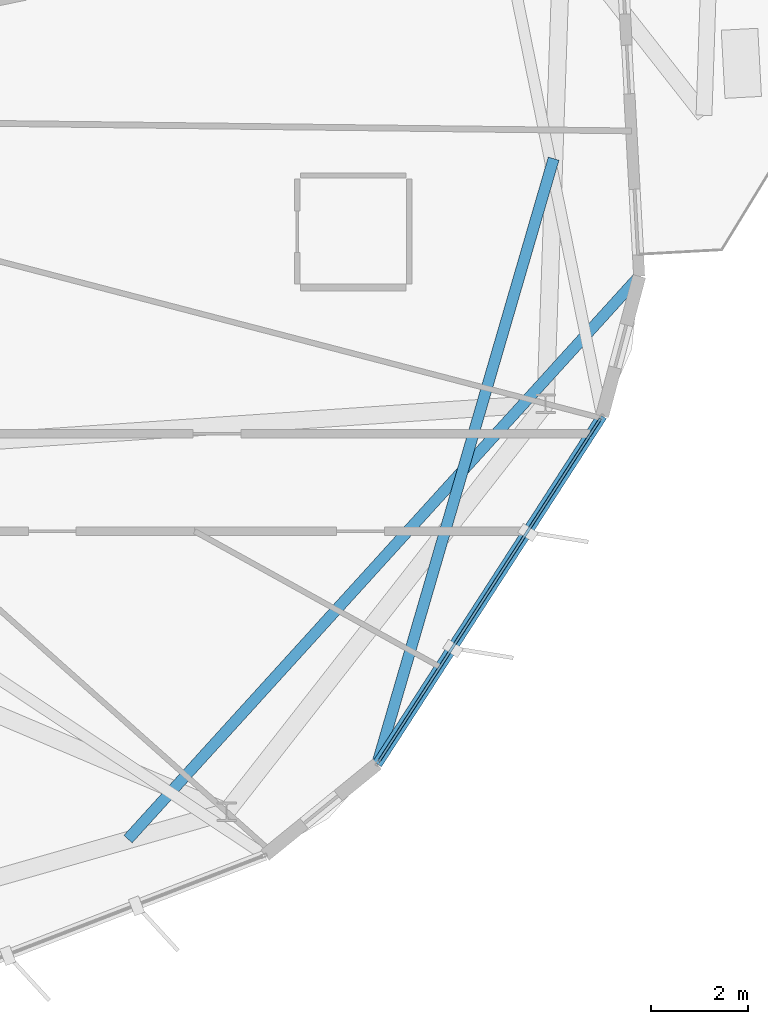
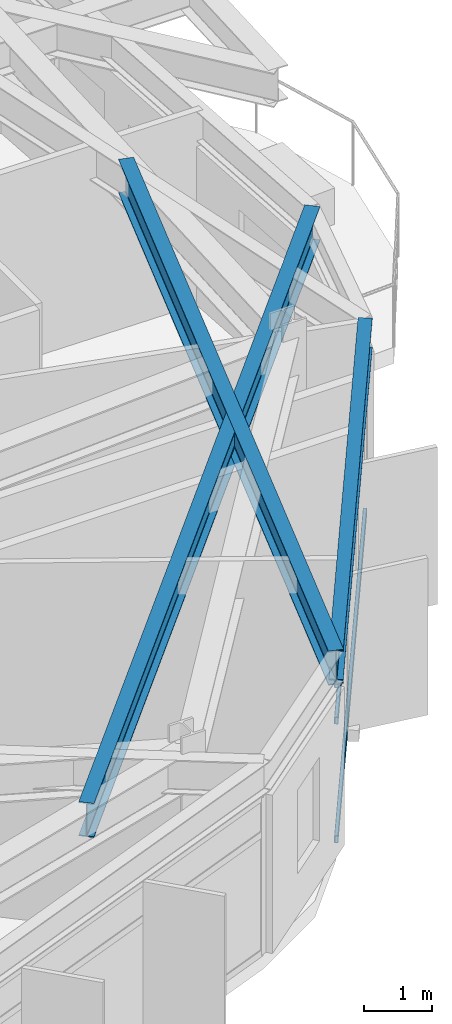
# One storey, part 13 of 26: 3 beams, 3 members, 1 element without a shape of its own.
"""IFC4 building model written with IfcOpenShell, lengths in metres."""

from ifc_helpers import new_model, si_unit, direction, frame, origin, origin_2d, place, context, subcontext, project, spatial, hollow_rectangle, i_section, extrude, material, layer, layer_set, material_profile, profile_set, type_object, element, aggregate, save


model = new_model("IFC4")

# Units and contexts
model_context = context("Model", 3, precision=1e-05, world=origin(), true_north=direction((0.0, 1.0)))
body_context = subcontext(model_context, "Body", "Model", "MODEL_VIEW")
ifc_project = project(units=[si_unit("LENGTHUNIT", "METRE"), si_unit("AREAUNIT", "SQUARE_METRE"), si_unit("VOLUMEUNIT", "CUBIC_METRE"), si_unit("PLANEANGLEUNIT", "RADIAN"), si_unit("MASSUNIT", "GRAM", prefix="KILO")], contexts=[model_context])

# Site, building, storey
site_placement = place(None, origin())
site = spatial("IfcSite", under=ifc_project, at=site_placement, CompositionType="ELEMENT")
building_placement = place(site_placement, origin())
building = spatial("IfcBuilding", under=site, at=building_placement, Name="Soratama Intermodal Tower", CompositionType="ELEMENT")
storey_placement = place(building_placement, frame((0.0, 0.0, 242.5)))
storey = spatial("IfcBuildingStorey", under=building, at=storey_placement, Name="L61", CompositionType="ELEMENT", Elevation=242.5)

# Beams
ifc_material_1 = material(Name="Structural steel ASTM A992 Grade 50", Category="steel")
ifc_material_profile_1 = material_profile(ifc_material_1, i_section(OverallWidth=0.2099609375, OverallDepth=0.537109375, WebThickness=0.010986328125, FlangeThickness=0.017333984375, FilletRadius=0.012939453125, at=origin_2d()), Name="W21X68")
ifc_profile_set_1 = profile_set([ifc_material_profile_1], Name="Structural steel ASTM A992 Grade 50")
beam_type_1 = type_object("IfcBeamType", Name="BM-SPN-W21X68", PredefinedType="SPANDREL", material=ifc_profile_set_1)
beam_1_placement = place(storey_placement, frame((57.708984375, 11.72412109375, 3.181396484375), z_axis=(0.542812951788, 0.839853617823, 0.0), x_axis=(-0.839853617823, 0.542812951788, 0.0)))
element("IfcBeam", 1, at=beam_1_placement, inside=storey, type_object=beam_type_1, Name="BS-L61-F08", PredefinedType="SPANDREL", context=body_context, shape_type="SweptSolid", body=[
    extrude(i_section(OverallWidth=0.2099609375, OverallDepth=0.537109375, WebThickness=0.010986328125, FlangeThickness=0.017333984375, FilletRadius=0.012939453125, at=origin_2d()), origin(), (0.0, 0.0, 1.0), 8.500244140625),
])
ifc_material_2 = material(Name="Structural steel ASTM A992 Grade 50", Category="steel")
ifc_material_profile_2 = material_profile(ifc_material_2, i_section(OverallWidth=0.22900390625, OverallDepth=0.612060546875, WebThickness=0.011962890625, FlangeThickness=0.01953125, FilletRadius=0.012939453125, at=origin_2d()), Name="W24X84")
ifc_profile_set_2 = profile_set([ifc_material_profile_2], Name="Structural steel ASTM A992 Grade 50")
beam_type_2 = type_object("IfcBeamType", Name="BM-TIE-W24X84", PredefinedType="BEAM", material=ifc_profile_set_2)
beam_2_placement = place(storey_placement, frame((61.327880859375, 24.14306640625, 3.14404296875), z_axis=(-0.279765172331, -0.960068460241, 0.0), x_axis=(0.960068460241, -0.279765172331, 0.0)))
element("IfcBeam", 2, at=beam_2_placement, inside=storey, type_object=beam_type_2, Name="BM-L61-TIE0-08", PredefinedType="BEAM", context=body_context, shape_type="SweptSolid", body=[
    extrude(i_section(OverallWidth=0.22900390625, OverallDepth=0.612060546875, WebThickness=0.011962890625, FlangeThickness=0.01953125, FilletRadius=0.012939453125, at=origin_2d()), origin(), (0.0, 0.0, 1.0), 12.935546875),
])
beam_3_placement = place(storey_placement, frame((52.595947265625, 10.18310546875, 3.14404296875), z_axis=(0.672386858971, 0.740199913458, 0.0), x_axis=(-0.740199913458, 0.672386858971, 0.0)))
element("IfcBeam", 3, at=beam_3_placement, inside=storey, type_object=beam_type_2, Name="BM-L61-TIE0-09", PredefinedType="BEAM", context=body_context, shape_type="SweptSolid", body=[
    extrude(i_section(OverallWidth=0.22900390625, OverallDepth=0.612060546875, WebThickness=0.011962890625, FlangeThickness=0.01953125, FilletRadius=0.012939453125, at=origin_2d()), origin(), (0.0, 0.0, 1.0), 15.599609375),
])

# Curtain wall, members
ifc_material_3 = material(Name="Double-glazed aluminium curtain wall", Category="aluminium")
ifc_layer = layer(ifc_material_3, 0.159912109375)
ifc_layer_set = layer_set([ifc_layer], Name="Double-glazed aluminium curtain wall")
curtain_wall_type = type_object("IfcCurtainWallType", Name="CW-SYS-5", PredefinedType="NOTDEFINED", material=ifc_layer_set)
curtain_wall_placement = place(storey_placement, origin())
curtain_wall = element("IfcCurtainWall", 4, at=curtain_wall_placement, inside=storey, type_object=curtain_wall_type, Name="L61 Faceted Curtain Wall F08", PredefinedType="NOTDEFINED")
ifc_material_4 = material(Name="Anodised aluminium AA 6063-T6", Category="aluminium")
ifc_material_profile_3 = material_profile(ifc_material_4, hollow_rectangle(XDim=0.06005859375, YDim=0.1298828125, WallThickness=0.0048828125, InnerFilletRadius=0.0048828125, OuterFilletRadius=0.010009765625, at=origin_2d()), Name="CWT130X60X5")
ifc_profile_set_3 = profile_set([ifc_material_profile_3], Name="Anodised aluminium AA 6063-T6")
member_type = type_object("IfcMemberType", Name="TT-CWT-2", PredefinedType="USERDEFINED", material=ifc_profile_set_3)
member_1_placement = place(storey_placement, frame((57.740966796875, 11.774658203125, 0.030029296875), z_axis=(0.542892447729, 0.83980223279, 0.0), x_axis=(-0.83980223279, 0.542892447729, 0.0)))
member_1 = element("IfcMember", 5, at=member_1_placement, type_object=member_type, Name="CW-5 transom 1.1", ObjectType="TRANSOM", PredefinedType="USERDEFINED", context=body_context, shape_type="SweptSolid", body=[
    extrude(hollow_rectangle(XDim=0.06005859375, YDim=0.1298828125, WallThickness=0.0048828125, InnerFilletRadius=0.0048828125, OuterFilletRadius=0.010009765625, at=origin_2d()), origin(), (0.0, 0.0, 1.0), 8.3798828125),
])
member_2_placement = place(storey_placement, frame((57.740966796875, 11.774658203125, 2.14990234375), z_axis=(0.542892447729, 0.83980223279, 0.0), x_axis=(-0.83980223279, 0.542892447729, 0.0)))
member_2 = element("IfcMember", 6, at=member_2_placement, type_object=member_type, Name="CW-5 transom 1.2", ObjectType="TRANSOM", PredefinedType="USERDEFINED", context=body_context, shape_type="SweptSolid", body=[
    extrude(hollow_rectangle(XDim=0.06005859375, YDim=0.1298828125, WallThickness=0.0048828125, InnerFilletRadius=0.0048828125, OuterFilletRadius=0.010009765625, at=origin_2d()), origin(), (0.0, 0.0, 1.0), 8.3798828125),
])
member_3_placement = place(storey_placement, frame((57.740966796875, 11.774658203125, 2.799072265625), z_axis=(0.542892447729, 0.83980223279, 0.0), x_axis=(-0.83980223279, 0.542892447729, 0.0)))
member_3 = element("IfcMember", 7, at=member_3_placement, type_object=member_type, Name="CW-5 transom 1.3", ObjectType="TRANSOM", PredefinedType="USERDEFINED", context=body_context, shape_type="SweptSolid", body=[
    extrude(hollow_rectangle(XDim=0.06005859375, YDim=0.1298828125, WallThickness=0.0048828125, InnerFilletRadius=0.0048828125, OuterFilletRadius=0.010009765625, at=origin_2d()), origin(), (0.0, 0.0, 1.0), 8.3798828125),
])
aggregate(curtain_wall, [member_1, member_2, member_3])

save(model, "model.ifc")
